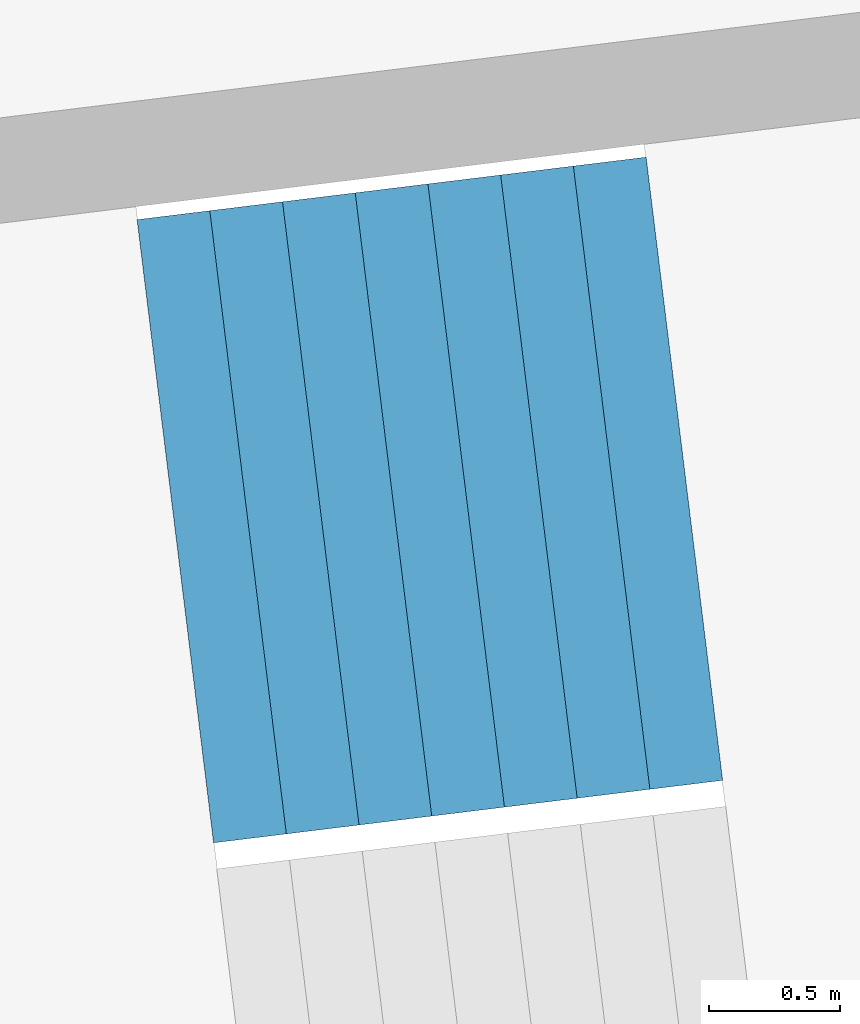
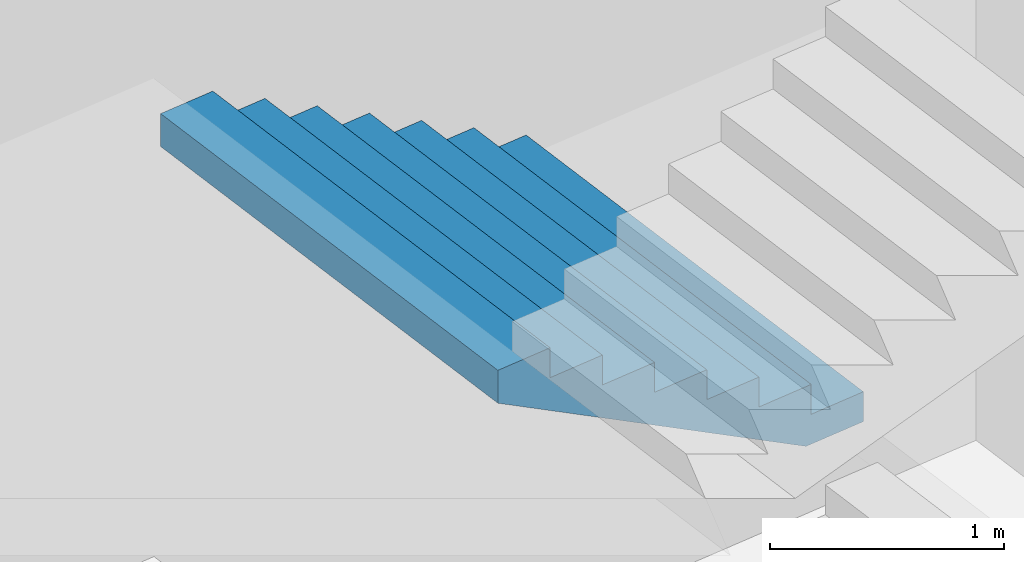
# One storey, part 26 of 73: 1 stair flight, 1 element without a shape of its own.
"""IFC4 building model written with IfcOpenShell, lengths in metres."""

from ifc_helpers import new_model, si_unit, direction, frame, origin, place, context, subcontext, project, spatial, triangles, material, type_object, element, aggregate, save


model = new_model("IFC4")

# Units and contexts
model_context = context("Model", 3, precision=1e-05, world=origin(), true_north=direction((0.0, 1.0)))
body_context = subcontext(model_context, "Body", "Model", "MODEL_VIEW")
ifc_project = project(units=[si_unit("LENGTHUNIT", "METRE"), si_unit("AREAUNIT", "SQUARE_METRE"), si_unit("VOLUMEUNIT", "CUBIC_METRE"), si_unit("PLANEANGLEUNIT", "RADIAN"), si_unit("MASSUNIT", "GRAM", prefix="KILO")], contexts=[model_context])

# Site, building, storey
site_placement = place(None, origin())
site = spatial("IfcSite", under=ifc_project, at=site_placement, CompositionType="ELEMENT")
building_placement = place(site_placement, origin())
building = spatial("IfcBuilding", under=site, at=building_placement, Name="Lantaw Convention Tower", CompositionType="ELEMENT")
storey_placement = place(building_placement, frame((0.0, 0.0, 22.0)))
storey = spatial("IfcBuildingStorey", under=building, at=storey_placement, Name="L03", CompositionType="ELEMENT", Elevation=22.0)

# Stair, stair flight
ifc_material = material(Name="Concrete C35/45", Category="concrete")
stair_type = type_object("IfcStairType", Name="Exit stair 2400 riser 156.25 in 4 flights", PredefinedType="HALF_TURN_STAIR", material=ifc_material)
stair_placement = place(storey_placement, origin())
stair = element("IfcStair", 1, at=stair_placement, inside=storey, type_object=stair_type, Name="Podium exit stair P10 L03", PredefinedType="HALF_TURN_STAIR")
stair_flight_type = type_object("IfcStairFlightType", Name="Stair flight 2400 riser 156.25", PredefinedType="STRAIGHT", material=ifc_material)
stair_flight_placement = place(storey_placement, frame((-35.162109375, -3.057861328125, 2.5), z_axis=(0.0, 0.0, 1.0), x_axis=(-0.992546151641, -0.121869343405, 0.0)))
stair_flight = element("IfcStairFlight", 2, at=stair_flight_placement, type_object=stair_flight_type, Name="P10 flight 3", NumberOfRisers=8, NumberOfTreads=7, PredefinedType="STRAIGHT", RiserHeight=0.15625, TreadLength=0.28, context=body_context, shape_type="Tessellation", body=[
    triangles([(0.0, 1.199951171875, 0.0), (0.0, 1.199951171875, 0.15625), (0.28, 1.199951171875, 0.0), (0.28, 1.199951171875, 0.15625), (0.28, 1.199951171875, 0.3125), (0.3076200632058044, 1.199951171875, 0.0), (0.3076200632058044, 1.199951171875, 0.3125), (0.56, 1.199951171875, 0.14083701830033238), (0.56, 1.199951171875, 0.3125), (0.56, 1.199951171875, 0.46875), (0.8400000000000001, 1.199951171875, 0.29708701830033235), (0.8400000000000001, 1.199951171875, 0.46875), (0.8400000000000001, 1.199951171875, 0.625), (1.12, 1.199951171875, 0.45333701830033235), (1.12, 1.199951171875, 0.625), (1.12, 1.199951171875, 0.78125), (1.4000000000000001, 1.199951171875, 0.6095870183003324), (1.4000000000000001, 1.199951171875, 0.78125), (1.4000000000000001, 1.199951171875, 0.9375), (1.6800000000000002, 1.199951171875, 0.7658370183003324), (1.6800000000000002, 1.199951171875, 0.9375), (1.6800000000000002, 1.199951171875, 1.09375), (1.9600000000000002, 1.199951171875, 0.9220870183003324), (1.9600000000000002, 1.199951171875, 1.09375), (0.0, -1.199951171875, 0.0), (0.0, -1.199951171875, 0.15625), (0.28, -1.199951171875, 0.0), (0.28, -1.199951171875, 0.15625), (0.28, -1.199951171875, 0.3125), (0.3076200632058044, -1.199951171875, 0.0), (0.3076200632058044, -1.199951171875, 0.3125), (0.56, -1.199951171875, 0.14083701830033238), (0.56, -1.199951171875, 0.3125), (0.56, -1.199951171875, 0.46875), (0.8400000000000001, -1.199951171875, 0.29708701830033235), (0.8400000000000001, -1.199951171875, 0.46875), (0.8400000000000001, -1.199951171875, 0.625), (1.12, -1.199951171875, 0.45333701830033235), (1.12, -1.199951171875, 0.625), (1.12, -1.199951171875, 0.78125), (1.4000000000000001, -1.199951171875, 0.6095870183003324), (1.4000000000000001, -1.199951171875, 0.78125), (1.4000000000000001, -1.199951171875, 0.9375), (1.6800000000000002, -1.199951171875, 0.7658370183003324), (1.6800000000000002, -1.199951171875, 0.9375), (1.6800000000000002, -1.199951171875, 1.09375), (1.9600000000000002, -1.199951171875, 0.9220870183003324), (1.9600000000000002, -1.199951171875, 1.09375), (0.0, 0.239990234375, 0.15625), (0.0, 0.239990234375, 0.0), (0.0, 0.1919921875, 0.15625), (0.0, 0.1919921875, 0.0), (0.0, 0.143994140625, 0.15625), (0.0, 0.143994140625, 0.0), (0.0, 0.09599609375, 0.15625), (0.0, 0.09599609375, 0.0), (0.0, 0.047998046875, 0.15625), (0.0, 0.047998046875, 0.0), (0.0, 0.0, 0.15625), (0.0, 0.0, 0.0), (0.0, -0.047998046875, 0.15625), (0.0, -0.047998046875, 0.0), (0.0, -0.09599609375, 0.15625), (0.0, -0.09599609375, 0.0), (0.0, -0.143994140625, 0.15625), (0.0, -0.143994140625, 0.0), (0.0, -0.1919921875, 0.15625), (0.0, -0.1919921875, 0.0), (0.0, -0.239990234375, 0.15625), (0.0, -0.239990234375, 0.0), (0.28, 0.239990234375, 0.3125), (0.28, 0.239990234375, 0.15625), (0.28, 0.1919921875, 0.3125), (0.28, 0.1919921875, 0.15625), (0.28, 0.143994140625, 0.3125), (0.28, 0.143994140625, 0.15625), (0.28, 0.09599609375, 0.3125), (0.28, 0.09599609375, 0.15625), (0.28, 0.047998046875, 0.3125), (0.28, 0.047998046875, 0.15625), (0.28, 0.0, 0.3125), (0.28, 0.0, 0.15625), (0.28, -0.047998046875, 0.3125), (0.28, -0.047998046875, 0.15625), (0.28, -0.09599609375, 0.3125), (0.28, -0.09599609375, 0.15625), (0.28, -0.143994140625, 0.3125), (0.28, -0.143994140625, 0.15625), (0.28, -0.1919921875, 0.3125), (0.28, -0.1919921875, 0.15625), (0.28, -0.239990234375, 0.3125), (0.28, -0.239990234375, 0.15625), (0.56, 0.239990234375, 0.46875), (0.56, 0.239990234375, 0.3125), (0.56, 0.1919921875, 0.46875), (0.56, 0.1919921875, 0.3125), (0.56, 0.143994140625, 0.46875), (0.56, 0.143994140625, 0.3125), (0.56, 0.09599609375, 0.46875), (0.56, 0.09599609375, 0.3125), (0.56, 0.047998046875, 0.46875), (0.56, 0.047998046875, 0.3125), (0.56, 0.0, 0.46875), (0.56, 0.0, 0.3125), (0.56, -0.047998046875, 0.46875), (0.56, -0.047998046875, 0.3125), (0.56, -0.09599609375, 0.46875), (0.56, -0.09599609375, 0.3125), (0.56, -0.143994140625, 0.46875), (0.56, -0.143994140625, 0.3125), (0.56, -0.1919921875, 0.46875), (0.56, -0.1919921875, 0.3125), (0.56, -0.239990234375, 0.46875), (0.56, -0.239990234375, 0.3125), (0.8400000000000001, 0.239990234375, 0.625), (0.8400000000000001, 0.239990234375, 0.46875), (0.8400000000000001, 0.1919921875, 0.625), (0.8400000000000001, 0.1919921875, 0.46875), (0.8400000000000001, 0.143994140625, 0.625), (0.8400000000000001, 0.143994140625, 0.46875), (0.8400000000000001, 0.09599609375, 0.625), (0.8400000000000001, 0.09599609375, 0.46875), (0.8400000000000001, 0.047998046875, 0.625), (0.8400000000000001, 0.047998046875, 0.46875), (0.8400000000000001, 0.0, 0.625), (0.8400000000000001, 0.0, 0.46875), (0.8400000000000001, -0.047998046875, 0.625), (0.8400000000000001, -0.047998046875, 0.46875), (0.8400000000000001, -0.09599609375, 0.625), (0.8400000000000001, -0.09599609375, 0.46875), (0.8400000000000001, -0.143994140625, 0.625), (0.8400000000000001, -0.143994140625, 0.46875), (0.8400000000000001, -0.1919921875, 0.625), (0.8400000000000001, -0.1919921875, 0.46875), (0.8400000000000001, -0.239990234375, 0.625), (0.8400000000000001, -0.239990234375, 0.46875), (1.12, 0.239990234375, 0.78125), (1.12, 0.239990234375, 0.625), (1.12, 0.1919921875, 0.78125), (1.12, 0.1919921875, 0.625), (1.12, 0.143994140625, 0.78125), (1.12, 0.143994140625, 0.625), (1.12, 0.09599609375, 0.78125), (1.12, 0.09599609375, 0.625), (1.12, 0.047998046875, 0.78125), (1.12, 0.047998046875, 0.625), (1.12, 0.0, 0.78125), (1.12, 0.0, 0.625), (1.12, -0.047998046875, 0.78125), (1.12, -0.047998046875, 0.625), (1.12, -0.09599609375, 0.78125), (1.12, -0.09599609375, 0.625), (1.12, -0.143994140625, 0.78125), (1.12, -0.143994140625, 0.625), (1.12, -0.1919921875, 0.78125), (1.12, -0.1919921875, 0.625), (1.12, -0.239990234375, 0.78125), (1.12, -0.239990234375, 0.625), (1.4000000000000001, 0.239990234375, 0.9375), (1.4000000000000001, 0.239990234375, 0.78125), (1.4000000000000001, 0.1919921875, 0.9375), (1.4000000000000001, 0.1919921875, 0.78125), (1.4000000000000001, 0.143994140625, 0.9375), (1.4000000000000001, 0.143994140625, 0.78125), (1.4000000000000001, 0.09599609375, 0.9375), (1.4000000000000001, 0.09599609375, 0.78125), (1.4000000000000001, 0.047998046875, 0.9375), (1.4000000000000001, 0.047998046875, 0.78125), (1.4000000000000001, 0.0, 0.9375), (1.4000000000000001, 0.0, 0.78125), (1.4000000000000001, -0.047998046875, 0.9375), (1.4000000000000001, -0.047998046875, 0.78125), (1.4000000000000001, -0.09599609375, 0.9375), (1.4000000000000001, -0.09599609375, 0.78125), (1.4000000000000001, -0.143994140625, 0.9375), (1.4000000000000001, -0.143994140625, 0.78125), (1.4000000000000001, -0.1919921875, 0.9375), (1.4000000000000001, -0.1919921875, 0.78125), (1.4000000000000001, -0.239990234375, 0.9375), (1.4000000000000001, -0.239990234375, 0.78125), (1.6800000000000002, 0.239990234375, 1.09375), (1.6800000000000002, 0.239990234375, 0.9375), (1.6800000000000002, 0.1919921875, 1.09375), (1.6800000000000002, 0.1919921875, 0.9375), (1.6800000000000002, 0.143994140625, 1.09375), (1.6800000000000002, 0.143994140625, 0.9375), (1.6800000000000002, 0.09599609375, 1.09375), (1.6800000000000002, 0.09599609375, 0.9375), (1.6800000000000002, 0.047998046875, 1.09375), (1.6800000000000002, 0.047998046875, 0.9375), (1.6800000000000002, 0.0, 1.09375), (1.6800000000000002, 0.0, 0.9375), (1.6800000000000002, -0.047998046875, 1.09375), (1.6800000000000002, -0.047998046875, 0.9375), (1.6800000000000002, -0.09599609375, 1.09375), (1.6800000000000002, -0.09599609375, 0.9375), (1.6800000000000002, -0.143994140625, 1.09375), (1.6800000000000002, -0.143994140625, 0.9375), (1.6800000000000002, -0.1919921875, 1.09375), (1.6800000000000002, -0.1919921875, 0.9375), (1.6800000000000002, -0.239990234375, 1.09375), (1.6800000000000002, -0.239990234375, 0.9375), (0.3076200632058044, 0.239990234375, 0.3125), (0.3076200632058044, 0.1919921875, 0.3125), (0.3076200632058044, 0.143994140625, 0.3125), (0.3076200632058044, 0.09599609375, 0.3125), (0.3076200632058044, 0.047998046875, 0.3125), (0.3076200632058044, 0.0, 0.3125), (0.3076200632058044, -0.047998046875, 0.3125), (0.3076200632058044, -0.09599609375, 0.3125), (0.3076200632058044, -0.143994140625, 0.3125), (0.3076200632058044, -0.1919921875, 0.3125), (0.3076200632058044, -0.239990234375, 0.3125), (1.9600000000000002, 0.239990234375, 1.09375), (1.9600000000000002, 0.1919921875, 1.09375), (1.9600000000000002, 0.143994140625, 1.09375), (1.9600000000000002, 0.09599609375, 1.09375), (1.9600000000000002, 0.047998046875, 1.09375), (1.9600000000000002, 0.0, 1.09375), (1.9600000000000002, -0.047998046875, 1.09375), (1.9600000000000002, -0.09599609375, 1.09375), (1.9600000000000002, -0.143994140625, 1.09375), (1.9600000000000002, -0.1919921875, 1.09375), (1.9600000000000002, -0.239990234375, 1.09375), (1.9600000000000002, 0.239990234375, 0.9220870183003324), (1.9600000000000002, 0.1919921875, 0.9220870183003324), (1.9600000000000002, 0.143994140625, 0.9220870183003324), (1.9600000000000002, 0.09599609375, 0.9220870183003324), (1.9600000000000002, 0.047998046875, 0.9220870183003324), (1.9600000000000002, 0.0, 0.9220870183003324), (1.9600000000000002, -0.047998046875, 0.9220870183003324), (1.9600000000000002, -0.09599609375, 0.9220870183003324), (1.9600000000000002, -0.143994140625, 0.9220870183003324), (1.9600000000000002, -0.1919921875, 0.9220870183003324), (1.9600000000000002, -0.239990234375, 0.9220870183003324), (1.6800000000000002, 0.239990234375, 0.7658370183003324), (1.6800000000000002, 0.1919921875, 0.7658370183003324), (1.6800000000000002, 0.143994140625, 0.7658370183003324), (1.6800000000000002, 0.09599609375, 0.7658370183003324), (1.6800000000000002, 0.047998046875, 0.7658370183003324), (1.6800000000000002, 0.0, 0.7658370183003324), (1.6800000000000002, -0.047998046875, 0.7658370183003324), (1.6800000000000002, -0.09599609375, 0.7658370183003324), (1.6800000000000002, -0.143994140625, 0.7658370183003324), (1.6800000000000002, -0.1919921875, 0.7658370183003324), (1.6800000000000002, -0.239990234375, 0.7658370183003324), (1.4000000000000001, 0.239990234375, 0.6095870183003324), (1.4000000000000001, 0.1919921875, 0.6095870183003324), (1.4000000000000001, 0.143994140625, 0.6095870183003324), (1.4000000000000001, 0.09599609375, 0.6095870183003324), (1.4000000000000001, 0.047998046875, 0.6095870183003324), (1.4000000000000001, 0.0, 0.6095870183003324), (1.4000000000000001, -0.047998046875, 0.6095870183003324), (1.4000000000000001, -0.09599609375, 0.6095870183003324), (1.4000000000000001, -0.143994140625, 0.6095870183003324), (1.4000000000000001, -0.1919921875, 0.6095870183003324), (1.4000000000000001, -0.239990234375, 0.6095870183003324), (1.12, 0.239990234375, 0.45333701830033235), (1.12, 0.1919921875, 0.45333701830033235), (1.12, 0.143994140625, 0.45333701830033235), (1.12, 0.09599609375, 0.45333701830033235), (1.12, 0.047998046875, 0.45333701830033235), (1.12, 0.0, 0.45333701830033235), (1.12, -0.047998046875, 0.45333701830033235), (1.12, -0.09599609375, 0.45333701830033235), (1.12, -0.143994140625, 0.45333701830033235), (1.12, -0.1919921875, 0.45333701830033235), (1.12, -0.239990234375, 0.45333701830033235), (0.8400000000000001, 0.239990234375, 0.29708701830033235), (0.8400000000000001, 0.1919921875, 0.29708701830033235), (0.8400000000000001, 0.143994140625, 0.29708701830033235), (0.8400000000000001, 0.09599609375, 0.29708701830033235), (0.8400000000000001, 0.047998046875, 0.29708701830033235), (0.8400000000000001, 0.0, 0.29708701830033235), (0.8400000000000001, -0.047998046875, 0.29708701830033235), (0.8400000000000001, -0.09599609375, 0.29708701830033235), (0.8400000000000001, -0.143994140625, 0.29708701830033235), (0.8400000000000001, -0.1919921875, 0.29708701830033235), (0.8400000000000001, -0.239990234375, 0.29708701830033235), (0.56, 0.239990234375, 0.14083701830033238), (0.56, 0.1919921875, 0.14083701830033238), (0.56, 0.143994140625, 0.14083701830033238), (0.56, 0.09599609375, 0.14083701830033238), (0.56, 0.047998046875, 0.14083701830033238), (0.56, 0.0, 0.14083701830033238), (0.56, -0.047998046875, 0.14083701830033238), (0.56, -0.09599609375, 0.14083701830033238), (0.56, -0.143994140625, 0.14083701830033238), (0.56, -0.1919921875, 0.14083701830033238), (0.56, -0.239990234375, 0.14083701830033238), (0.3076200632058044, 0.239990234375, 0.0), (0.3076200632058044, 0.1919921875, 0.0), (0.3076200632058044, 0.143994140625, 0.0), (0.3076200632058044, 0.09599609375, 0.0), (0.3076200632058044, 0.047998046875, 0.0), (0.3076200632058044, 0.0, 0.0), (0.3076200632058044, -0.047998046875, 0.0), (0.3076200632058044, -0.09599609375, 0.0), (0.3076200632058044, -0.143994140625, 0.0), (0.3076200632058044, -0.1919921875, 0.0), (0.3076200632058044, -0.239990234375, 0.0), (0.28, 0.239990234375, 0.0), (0.28, 0.1919921875, 0.0), (0.28, 0.143994140625, 0.0), (0.28, 0.09599609375, 0.0), (0.28, 0.047998046875, 0.0), (0.28, 0.0, 0.0), (0.28, -0.047998046875, 0.0), (0.28, -0.09599609375, 0.0), (0.28, -0.143994140625, 0.0), (0.28, -0.1919921875, 0.0), (0.28, -0.239990234375, 0.0)], [[1, 4, 3], [1, 2, 4], [3, 4, 6], [4, 7, 6], [4, 5, 7], [6, 9, 8], [6, 7, 9], [8, 9, 11], [9, 12, 11], [9, 10, 12], [11, 12, 14], [12, 15, 14], [12, 13, 15], [14, 15, 17], [15, 18, 17], [15, 16, 18], [17, 18, 20], [18, 21, 20], [18, 19, 21], [20, 21, 23], [21, 24, 23], [21, 22, 24], [25, 27, 28], [25, 28, 26], [27, 30, 28], [28, 30, 31], [28, 31, 29], [30, 32, 33], [30, 33, 31], [32, 35, 33], [33, 35, 36], [33, 36, 34], [35, 38, 36], [36, 38, 39], [36, 39, 37], [38, 41, 39], [39, 41, 42], [39, 42, 40], [41, 44, 42], [42, 44, 45], [42, 45, 43], [44, 47, 45], [45, 47, 48], [45, 48, 46], [1, 49, 2], [1, 50, 49], [50, 51, 49], [50, 52, 51], [52, 53, 51], [52, 54, 53], [54, 55, 53], [54, 56, 55], [56, 57, 55], [56, 58, 57], [58, 59, 57], [58, 60, 59], [60, 61, 59], [60, 62, 61], [62, 63, 61], [62, 64, 63], [64, 65, 63], [64, 66, 65], [66, 67, 65], [66, 68, 67], [68, 69, 67], [68, 70, 69], [70, 26, 69], [70, 25, 26], [4, 71, 5], [4, 72, 71], [72, 73, 71], [72, 74, 73], [74, 75, 73], [74, 76, 75], [76, 77, 75], [76, 78, 77], [78, 79, 77], [78, 80, 79], [80, 81, 79], [80, 82, 81], [82, 83, 81], [82, 84, 83], [84, 85, 83], [84, 86, 85], [86, 87, 85], [86, 88, 87], [88, 89, 87], [88, 90, 89], [90, 91, 89], [90, 92, 91], [92, 29, 91], [92, 28, 29], [9, 93, 10], [9, 94, 93], [94, 95, 93], [94, 96, 95], [96, 97, 95], [96, 98, 97], [98, 99, 97], [98, 100, 99], [100, 101, 99], [100, 102, 101], [102, 103, 101], [102, 104, 103], [104, 105, 103], [104, 106, 105], [106, 107, 105], [106, 108, 107], [108, 109, 107], [108, 110, 109], [110, 111, 109], [110, 112, 111], [112, 113, 111], [112, 114, 113], [114, 34, 113], [114, 33, 34], [12, 115, 13], [12, 116, 115], [116, 117, 115], [116, 118, 117], [118, 119, 117], [118, 120, 119], [120, 121, 119], [120, 122, 121], [122, 123, 121], [122, 124, 123], [124, 125, 123], [124, 126, 125], [126, 127, 125], [126, 128, 127], [128, 129, 127], [128, 130, 129], [130, 131, 129], [130, 132, 131], [132, 133, 131], [132, 134, 133], [134, 135, 133], [134, 136, 135], [136, 37, 135], [136, 36, 37], [15, 137, 16], [15, 138, 137], [138, 139, 137], [138, 140, 139], [140, 141, 139], [140, 142, 141], [142, 143, 141], [142, 144, 143], [144, 145, 143], [144, 146, 145], [146, 147, 145], [146, 148, 147], [148, 149, 147], [148, 150, 149], [150, 151, 149], [150, 152, 151], [152, 153, 151], [152, 154, 153], [154, 155, 153], [154, 156, 155], [156, 157, 155], [156, 158, 157], [158, 40, 157], [158, 39, 40], [18, 159, 19], [18, 160, 159], [160, 161, 159], [160, 162, 161], [162, 163, 161], [162, 164, 163], [164, 165, 163], [164, 166, 165], [166, 167, 165], [166, 168, 167], [168, 169, 167], [168, 170, 169], [170, 171, 169], [170, 172, 171], [172, 173, 171], [172, 174, 173], [174, 175, 173], [174, 176, 175], [176, 177, 175], [176, 178, 177], [178, 179, 177], [178, 180, 179], [180, 43, 179], [180, 42, 43], [21, 181, 22], [21, 182, 181], [182, 183, 181], [182, 184, 183], [184, 185, 183], [184, 186, 185], [186, 187, 185], [186, 188, 187], [188, 189, 187], [188, 190, 189], [190, 191, 189], [190, 192, 191], [192, 193, 191], [192, 194, 193], [194, 195, 193], [194, 196, 195], [196, 197, 195], [196, 198, 197], [198, 199, 197], [198, 200, 199], [200, 201, 199], [200, 202, 201], [202, 46, 201], [202, 45, 46], [2, 72, 4], [2, 49, 72], [49, 74, 72], [49, 51, 74], [51, 76, 74], [51, 53, 76], [53, 78, 76], [53, 55, 78], [55, 80, 78], [55, 57, 80], [57, 82, 80], [57, 59, 82], [59, 84, 82], [59, 61, 84], [61, 86, 84], [61, 63, 86], [63, 88, 86], [63, 65, 88], [65, 90, 88], [65, 67, 90], [67, 92, 90], [67, 69, 92], [69, 28, 92], [69, 26, 28], [5, 203, 7], [5, 71, 203], [71, 204, 203], [71, 73, 204], [73, 205, 204], [73, 75, 205], [75, 206, 205], [75, 77, 206], [77, 207, 206], [77, 79, 207], [79, 208, 207], [79, 81, 208], [81, 209, 208], [81, 83, 209], [83, 210, 209], [83, 85, 210], [85, 211, 210], [85, 87, 211], [87, 212, 211], [87, 89, 212], [89, 213, 212], [89, 91, 213], [91, 31, 213], [91, 29, 31], [7, 94, 9], [7, 203, 94], [203, 96, 94], [203, 204, 96], [204, 98, 96], [204, 205, 98], [205, 100, 98], [205, 206, 100], [206, 102, 100], [206, 207, 102], [207, 104, 102], [207, 208, 104], [208, 106, 104], [208, 209, 106], [209, 108, 106], [209, 210, 108], [210, 110, 108], [210, 211, 110], [211, 112, 110], [211, 212, 112], [212, 114, 112], [212, 213, 114], [213, 33, 114], [213, 31, 33], [10, 116, 12], [10, 93, 116], [93, 118, 116], [93, 95, 118], [95, 120, 118], [95, 97, 120], [97, 122, 120], [97, 99, 122], [99, 124, 122], [99, 101, 124], [101, 126, 124], [101, 103, 126], [103, 128, 126], [103, 105, 128], [105, 130, 128], [105, 107, 130], [107, 132, 130], [107, 109, 132], [109, 134, 132], [109, 111, 134], [111, 136, 134], [111, 113, 136], [113, 36, 136], [113, 34, 36], [13, 138, 15], [13, 115, 138], [115, 140, 138], [115, 117, 140], [117, 142, 140], [117, 119, 142], [119, 144, 142], [119, 121, 144], [121, 146, 144], [121, 123, 146], [123, 148, 146], [123, 125, 148], [125, 150, 148], [125, 127, 150], [127, 152, 150], [127, 129, 152], [129, 154, 152], [129, 131, 154], [131, 156, 154], [131, 133, 156], [133, 158, 156], [133, 135, 158], [135, 39, 158], [135, 37, 39], [16, 160, 18], [16, 137, 160], [137, 162, 160], [137, 139, 162], [139, 164, 162], [139, 141, 164], [141, 166, 164], [141, 143, 166], [143, 168, 166], [143, 145, 168], [145, 170, 168], [145, 147, 170], [147, 172, 170], [147, 149, 172], [149, 174, 172], [149, 151, 174], [151, 176, 174], [151, 153, 176], [153, 178, 176], [153, 155, 178], [155, 180, 178], [155, 157, 180], [157, 42, 180], [157, 40, 42], [19, 182, 21], [19, 159, 182], [159, 184, 182], [159, 161, 184], [161, 186, 184], [161, 163, 186], [163, 188, 186], [163, 165, 188], [165, 190, 188], [165, 167, 190], [167, 192, 190], [167, 169, 192], [169, 194, 192], [169, 171, 194], [171, 196, 194], [171, 173, 196], [173, 198, 196], [173, 175, 198], [175, 200, 198], [175, 177, 200], [177, 202, 200], [177, 179, 202], [179, 45, 202], [179, 43, 45], [22, 214, 24], [22, 181, 214], [181, 215, 214], [181, 183, 215], [183, 216, 215], [183, 185, 216], [185, 217, 216], [185, 187, 217], [187, 218, 217], [187, 189, 218], [189, 219, 218], [189, 191, 219], [191, 220, 219], [191, 193, 220], [193, 221, 220], [193, 195, 221], [195, 222, 221], [195, 197, 222], [197, 223, 222], [197, 199, 223], [199, 224, 223], [199, 201, 224], [201, 48, 224], [201, 46, 48], [24, 225, 23], [24, 214, 225], [214, 226, 225], [214, 215, 226], [215, 227, 226], [215, 216, 227], [216, 228, 227], [216, 217, 228], [217, 229, 228], [217, 218, 229], [218, 230, 229], [218, 219, 230], [219, 231, 230], [219, 220, 231], [220, 232, 231], [220, 221, 232], [221, 233, 232], [221, 222, 233], [222, 234, 233], [222, 223, 234], [223, 235, 234], [223, 224, 235], [224, 47, 235], [224, 48, 47], [23, 236, 20], [23, 225, 236], [225, 237, 236], [225, 226, 237], [226, 238, 237], [226, 227, 238], [227, 239, 238], [227, 228, 239], [228, 240, 239], [228, 229, 240], [229, 241, 240], [229, 230, 241], [230, 242, 241], [230, 231, 242], [231, 243, 242], [231, 232, 243], [232, 244, 243], [232, 233, 244], [233, 245, 244], [233, 234, 245], [234, 246, 245], [234, 235, 246], [235, 44, 246], [235, 47, 44], [20, 247, 17], [20, 236, 247], [236, 248, 247], [236, 237, 248], [237, 249, 248], [237, 238, 249], [238, 250, 249], [238, 239, 250], [239, 251, 250], [239, 240, 251], [240, 252, 251], [240, 241, 252], [241, 253, 252], [241, 242, 253], [242, 254, 253], [242, 243, 254], [243, 255, 254], [243, 244, 255], [244, 256, 255], [244, 245, 256], [245, 257, 256], [245, 246, 257], [246, 41, 257], [246, 44, 41], [17, 258, 14], [17, 247, 258], [247, 259, 258], [247, 248, 259], [248, 260, 259], [248, 249, 260], [249, 261, 260], [249, 250, 261], [250, 262, 261], [250, 251, 262], [251, 263, 262], [251, 252, 263], [252, 264, 263], [252, 253, 264], [253, 265, 264], [253, 254, 265], [254, 266, 265], [254, 255, 266], [255, 267, 266], [255, 256, 267], [256, 268, 267], [256, 257, 268], [257, 38, 268], [257, 41, 38], [14, 269, 11], [14, 258, 269], [258, 270, 269], [258, 259, 270], [259, 271, 270], [259, 260, 271], [260, 272, 271], [260, 261, 272], [261, 273, 272], [261, 262, 273], [262, 274, 273], [262, 263, 274], [263, 275, 274], [263, 264, 275], [264, 276, 275], [264, 265, 276], [265, 277, 276], [265, 266, 277], [266, 278, 277], [266, 267, 278], [267, 279, 278], [267, 268, 279], [268, 35, 279], [268, 38, 35], [11, 280, 8], [11, 269, 280], [269, 281, 280], [269, 270, 281], [270, 282, 281], [270, 271, 282], [271, 283, 282], [271, 272, 283], [272, 284, 283], [272, 273, 284], [273, 285, 284], [273, 274, 285], [274, 286, 285], [274, 275, 286], [275, 287, 286], [275, 276, 287], [276, 288, 287], [276, 277, 288], [277, 289, 288], [277, 278, 289], [278, 290, 289], [278, 279, 290], [279, 32, 290], [279, 35, 32], [8, 291, 6], [8, 280, 291], [280, 292, 291], [280, 281, 292], [281, 293, 292], [281, 282, 293], [282, 294, 293], [282, 283, 294], [283, 295, 294], [283, 284, 295], [284, 296, 295], [284, 285, 296], [285, 297, 296], [285, 286, 297], [286, 298, 297], [286, 287, 298], [287, 299, 298], [287, 288, 299], [288, 300, 299], [288, 289, 300], [289, 301, 300], [289, 290, 301], [290, 30, 301], [290, 32, 30], [6, 302, 3], [6, 291, 302], [291, 303, 302], [291, 292, 303], [292, 304, 303], [292, 293, 304], [293, 305, 304], [293, 294, 305], [294, 306, 305], [294, 295, 306], [295, 307, 306], [295, 296, 307], [296, 308, 307], [296, 297, 308], [297, 309, 308], [297, 298, 309], [298, 310, 309], [298, 299, 310], [299, 311, 310], [299, 300, 311], [300, 312, 311], [300, 301, 312], [301, 27, 312], [301, 30, 27], [3, 50, 1], [3, 302, 50], [302, 52, 50], [302, 303, 52], [303, 54, 52], [303, 304, 54], [304, 56, 54], [304, 305, 56], [305, 58, 56], [305, 306, 58], [306, 60, 58], [306, 307, 60], [307, 62, 60], [307, 308, 62], [308, 64, 62], [308, 309, 64], [309, 66, 64], [309, 310, 66], [310, 68, 66], [310, 311, 68], [311, 70, 68], [311, 312, 70], [312, 25, 70], [312, 27, 25]], closed=True),
])
aggregate(stair, [stair_flight])

save(model, "model.ifc")
